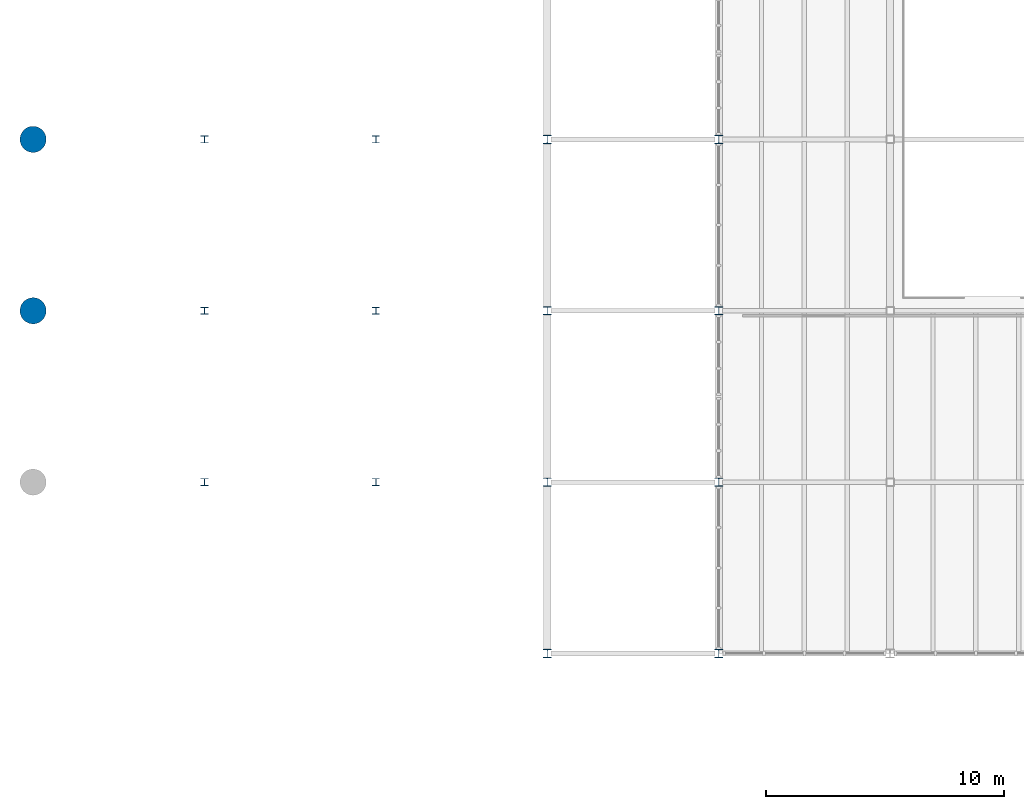
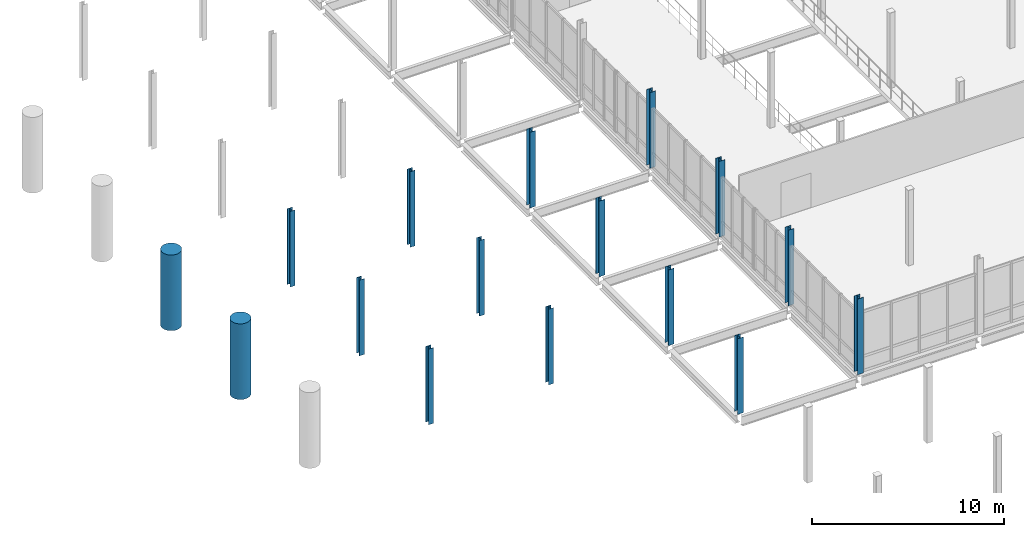
# One storey, part 3 of 77: 16 columns.
"""IFC4 building model written with IfcOpenShell, lengths in metres."""

from ifc_helpers import new_model, si_unit, direction, frame, origin, origin_2d, place, context, subcontext, project, spatial, circle, i_section, extrude, material, material_profile, profile_set, type_object, element, save


model = new_model("IFC4")

# Units and contexts
model_context = context("Model", 3, precision=1e-05, world=origin(), true_north=direction((0.0, 1.0)))
body_context = subcontext(model_context, "Body", "Model", "MODEL_VIEW")
ifc_project = project(units=[si_unit("LENGTHUNIT", "METRE"), si_unit("AREAUNIT", "SQUARE_METRE"), si_unit("VOLUMEUNIT", "CUBIC_METRE"), si_unit("PLANEANGLEUNIT", "RADIAN"), si_unit("MASSUNIT", "GRAM", prefix="KILO")], contexts=[model_context])

# Site, building, storey
site_placement = place(None, origin())
site = spatial("IfcSite", under=ifc_project, at=site_placement, CompositionType="ELEMENT")
building_placement = place(site_placement, origin())
building = spatial("IfcBuilding", under=site, at=building_placement, Name="Qiaolan Assembly House", CompositionType="ELEMENT")
storey_placement = place(building_placement, frame((0.0, 0.0, 5.39990234375)))
storey = spatial("IfcBuildingStorey", under=building, at=storey_placement, Name="L01", CompositionType="ELEMENT", Elevation=5.39990234375)

# Columns
ifc_material_1 = material(Name="Steel Q355B", Category="steel")
ifc_material_profile_1 = material_profile(ifc_material_1, i_section(OverallWidth=0.300048828125, OverallDepth=0.300048828125, WebThickness=0.010009765625, FlangeThickness=0.014892578125, FilletRadius=0.01806640625, at=origin_2d()), Name="HW 300x300x10x15")
ifc_profile_set_1 = profile_set([ifc_material_profile_1], Name="Steel Q355B")
column_type_1 = type_object("IfcColumnType", Name="COL-STL-HW300", PredefinedType="COLUMN", material=ifc_profile_set_1)
for number, where, z_axis, x_axis, name in (
    (1, (7.199951171875, 43.199951171875, 0.0), (0.0, 0.0, 1.0), (1.0, 0.0, 0.0), "SC-03 portico colonnade column L01"),
    (2, (7.199951171875, 50.39990234375, 0.0), (0.0, 0.0, 1.0), (1.0, 0.0, 0.0), "SC-03 portico colonnade column L01"),
    (3, (7.199951171875, 57.60009765625, 0.0), (0.0, 0.0, 1.0), (1.0, 0.0, 0.0), "SC-03 portico colonnade column L01"),
    (4, (14.39990234375, 43.199951171875, 0.0), (0.0, 0.0, 1.0), (1.0, 0.0, 0.0), "SC-03 portico colonnade column L01"),
    (5, (14.39990234375, 50.39990234375, 0.0), (0.0, 0.0, 1.0), (1.0, 0.0, 0.0), "SC-03 portico colonnade column L01"),
    (6, (14.39990234375, 57.60009765625, 0.0), (0.0, 0.0, 1.0), (1.0, 0.0, 0.0), "SC-03 portico colonnade column L01"),
):
    element("IfcColumn", number, at=place(storey_placement, frame(where, z_axis=z_axis, x_axis=x_axis)), inside=storey, type_object=column_type_1, Name=name, PredefinedType="COLUMN", context=body_context, shape_type="SweptSolid", body=[
        extrude(i_section(OverallWidth=0.300048828125, OverallDepth=0.300048828125, WebThickness=0.010009765625, FlangeThickness=0.014892578125, FilletRadius=0.01806640625, at=origin_2d()), origin(), (0.0, 0.0, 1.0), 4.800048828125),
    ])
ifc_material_profile_2 = material_profile(ifc_material_1, i_section(OverallWidth=0.35009765625, OverallDepth=0.35009765625, WebThickness=0.011962890625, FlangeThickness=0.01904296875, FilletRadius=0.02001953125, at=origin_2d()), Name="HW 350x350x12x19")
ifc_profile_set_2 = profile_set([ifc_material_profile_2], Name="Steel Q355B")
column_type_2 = type_object("IfcColumnType", Name="COL-STL-HW350", PredefinedType="COLUMN", material=ifc_profile_set_2)
for number, where, z_axis, x_axis, name in (
    (7, (21.60009765625, 36.0, 0.0), (0.0, 0.0, 1.0), (1.0, 0.0, 0.0), "SC-02 hall column L01"),
    (8, (21.60009765625, 43.199951171875, 0.0), (0.0, 0.0, 1.0), (1.0, 0.0, 0.0), "SC-02 hall column L01"),
    (9, (21.60009765625, 50.39990234375, 0.0), (0.0, 0.0, 1.0), (1.0, 0.0, 0.0), "SC-02 hall column L01"),
    (10, (21.60009765625, 57.60009765625, 0.0), (0.0, 0.0, 1.0), (1.0, 0.0, 0.0), "SC-02 hall column L01"),
    (11, (28.800048828125, 36.0, 0.0), (0.0, 0.0, 1.0), (1.0, 0.0, 0.0), "SC-02 hall column L01"),
    (12, (28.800048828125, 43.199951171875, 0.0), (0.0, 0.0, 1.0), (1.0, 0.0, 0.0), "SC-02 hall column L01"),
    (13, (28.800048828125, 50.39990234375, 0.0), (0.0, 0.0, 1.0), (1.0, 0.0, 0.0), "SC-02 hall column L01"),
    (14, (28.800048828125, 57.60009765625, 0.0), (0.0, 0.0, 1.0), (1.0, 0.0, 0.0), "SC-02 hall column L01"),
):
    element("IfcColumn", number, at=place(storey_placement, frame(where, z_axis=z_axis, x_axis=x_axis)), inside=storey, type_object=column_type_2, Name=name, PredefinedType="COLUMN", context=body_context, shape_type="SweptSolid", body=[
        extrude(i_section(OverallWidth=0.35009765625, OverallDepth=0.35009765625, WebThickness=0.011962890625, FlangeThickness=0.01904296875, FilletRadius=0.02001953125, at=origin_2d()), origin(), (0.0, 0.0, 1.0), 4.800048828125),
    ])
ifc_material_2 = material(Name="Precast concrete C50/60", Category="concrete")
ifc_material_profile_3 = material_profile(ifc_material_2, circle(Radius=0.550048828125, at=origin_2d()), Name="CIRC D1100")
ifc_profile_set_3 = profile_set([ifc_material_profile_3], Name="Precast concrete C50/60")
column_type_3 = type_object("IfcColumnType", Name="PIL-PORTICO-D1100", PredefinedType="PILASTER", material=ifc_profile_set_3)
for number, where, z_axis, x_axis, name in (
    (15, (0.0, 50.39990234375, 0.0), (0.0, 0.0, 1.0), (1.0, 0.0, 0.0), "PL-01 portico colonnade column L01"),
    (16, (0.0, 57.60009765625, 0.0), (0.0, 0.0, 1.0), (1.0, 0.0, 0.0), "PL-01 portico colonnade column L01"),
):
    element("IfcColumn", number, at=place(storey_placement, frame(where, z_axis=z_axis, x_axis=x_axis)), inside=storey, type_object=column_type_3, Name=name, PredefinedType="PILASTER", context=body_context, shape_type="SweptSolid", body=[
        extrude(circle(Radius=0.550048828125, at=origin_2d()), origin(), (0.0, 0.0, 1.0), 4.800048828125),
    ])

save(model, "model.ifc")
